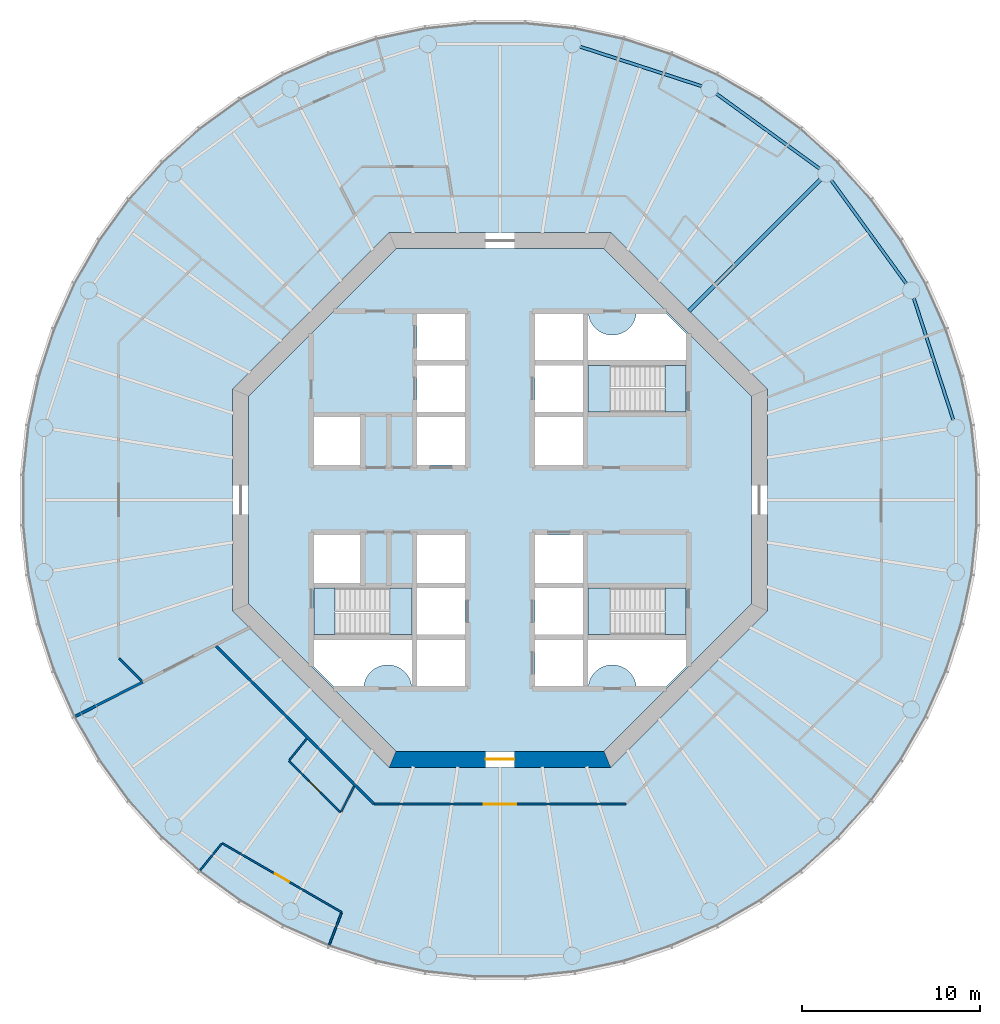
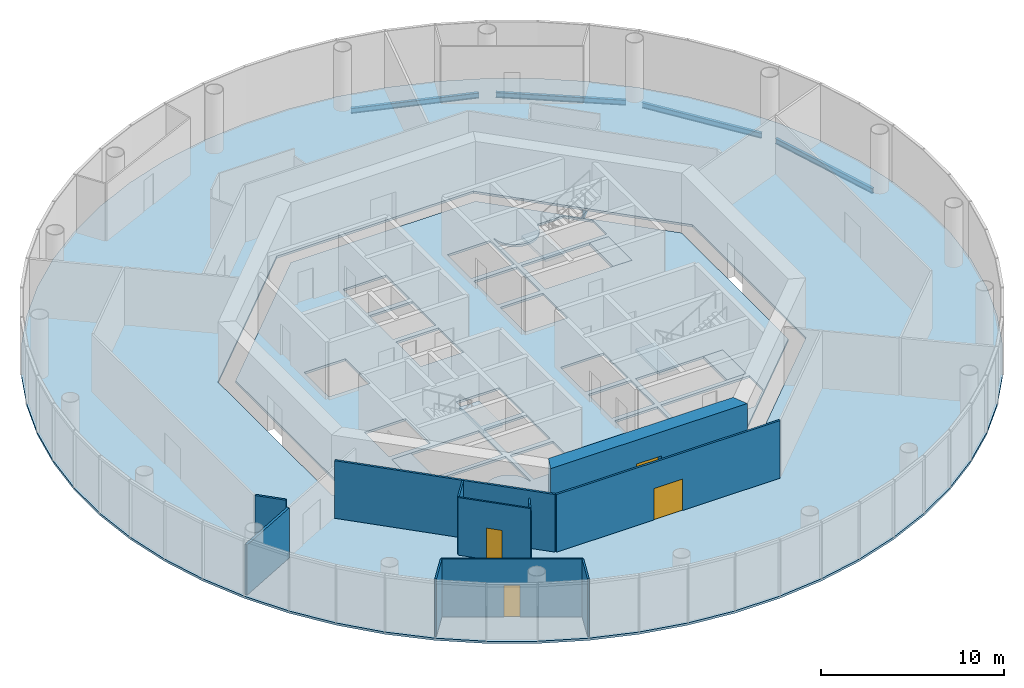
# One storey, part 2 of 12: 11 walls, 8 slabs, 5 beams, 4 doors, 4 openings, 3 elements without a shape of their own.
"""IFC4 building model written with IfcOpenShell, lengths in metres."""

from ifc_helpers import new_model, si_unit, direction, frame, frame_2d, origin, origin_2d, place, context, subcontext, project, spatial, polyline, rectangle, i_section, outline, extrude, material, layer, layer_set, material_profile, profile_set, type_object, element, fill, aggregate, save


model = new_model("IFC4")

# Units and contexts
model_context = context("Model", 3, precision=1e-05, world=origin(), true_north=direction((0.0, 1.0)))
body_context = subcontext(model_context, "Body", "Model", "MODEL_VIEW")
ifc_project = project(units=[si_unit("LENGTHUNIT", "METRE"), si_unit("AREAUNIT", "SQUARE_METRE"), si_unit("VOLUMEUNIT", "CUBIC_METRE"), si_unit("PLANEANGLEUNIT", "RADIAN"), si_unit("MASSUNIT", "GRAM", prefix="KILO")], contexts=[model_context])

# Site, building, storey
site_placement = place(None, origin())
site = spatial("IfcSite", under=ifc_project, at=site_placement, CompositionType="ELEMENT")
building_placement = place(site_placement, origin())
building = spatial("IfcBuilding", under=site, at=building_placement, Name="Entoto Ring Tower", CompositionType="ELEMENT")
storey_placement = place(building_placement, frame((0.0, 0.0, 210.0)))
storey = spatial("IfcBuildingStorey", under=building, at=storey_placement, Name="L48", CompositionType="ELEMENT", Elevation=210.0)

# Beams
ifc_material_1 = material(Name="Steel S355", Category="steel")
ifc_material_profile_1 = material_profile(ifc_material_1, i_section(OverallWidth=0.169921875, OverallDepth=0.360107421875, WebThickness=0.008056640625, FlangeThickness=0.0126953125, FilletRadius=0.01806640625, at=origin_2d()), Name="IPE 360")
ifc_profile_set_1 = profile_set([ifc_material_profile_1], Name="Steel S355")
beam_type_1 = type_object("IfcBeamType", Name="Edge beam IPE 360", PredefinedType="SPANDREL", material=ifc_profile_set_1)
beam_1_placement = place(storey_placement, frame((115.43505859375, 84.501220703125, -0.330078125), z_axis=(-0.309015118354, 0.951057125849, 0.0), x_axis=(-0.951057125849, -0.309015118354, 0.0)))
element("IfcBeam", 1, at=beam_1_placement, inside=storey, type_object=beam_type_1, Name="Edge beam L48 01", PredefinedType="SPANDREL", context=body_context, shape_type="SweptSolid", body=[
    extrude(i_section(OverallWidth=0.169921875, OverallDepth=0.360107421875, WebThickness=0.008056640625, FlangeThickness=0.0126953125, FilletRadius=0.01806640625, at=origin_2d()), origin(), (0.0, 0.0, 1.0), 7.157958984375),
])
for number, where, z_axis, x_axis, name in (
    (2, (112.79931640625, 92.140625, -0.330078125), (-0.587794432314, 0.809010324619, 0.0), (-0.809010324619, -0.587794432314, 0.0), "Edge beam L48 02"),
    (3, (107.931640625, 98.591796875, -0.330078125), (-0.809010324619, 0.587794432314, 0.0), (-0.587794432314, -0.809010324619, 0.0), "Edge beam L48 03"),
):
    element("IfcBeam", number, at=place(storey_placement, frame(where, z_axis=z_axis, x_axis=x_axis)), inside=storey, type_object=beam_type_1, Name=name, PredefinedType="SPANDREL", context=body_context, shape_type="SweptSolid", body=[
        extrude(i_section(OverallWidth=0.169921875, OverallDepth=0.360107421875, WebThickness=0.008056640625, FlangeThickness=0.0126953125, FilletRadius=0.01806640625, at=origin_2d()), origin(), (0.0, 0.0, 1.0), 7.158203125),
    ])
beam_2_placement = place(storey_placement, frame((101.308837890625, 103.22314453125, -0.330078125), z_axis=(-0.951057125849, 0.309015118354, 0.0), x_axis=(-0.309015118354, -0.951057125849, 0.0)))
element("IfcBeam", 4, at=beam_2_placement, inside=storey, type_object=beam_type_1, Name="Edge beam L48 04", PredefinedType="SPANDREL", context=body_context, shape_type="SweptSolid", body=[
    extrude(i_section(OverallWidth=0.169921875, OverallDepth=0.360107421875, WebThickness=0.008056640625, FlangeThickness=0.0126953125, FilletRadius=0.01806640625, at=origin_2d()), origin(), (0.0, 0.0, 1.0), 7.157958984375),
])
ifc_material_2 = material(Name="Steel S355", Category="steel")
ifc_material_profile_2 = material_profile(ifc_material_2, i_section(OverallWidth=0.199951171875, OverallDepth=0.5, WebThickness=0.01025390625, FlangeThickness=0.01611328125, FilletRadius=0.02099609375, at=origin_2d()), Name="IPE 500")
ifc_profile_set_2 = profile_set([ifc_material_profile_2], Name="Steel S355")
beam_type_2 = type_object("IfcBeamType", Name="Primary floor beam IPE 500", PredefinedType="BEAM", material=ifc_profile_set_2)
beam_3_placement = place(storey_placement, frame((100.592529296875, 90.592529296875, -0.39990234375), z_axis=(0.707106781187, 0.707106781187, 0.0), x_axis=(-0.707106781187, 0.707106781187, 0.0)))
element("IfcBeam", 5, at=beam_3_placement, inside=storey, type_object=beam_type_2, Name="Primary L48 R03", PredefinedType="BEAM", context=body_context, shape_type="SweptSolid", body=[
    extrude(i_section(OverallWidth=0.199951171875, OverallDepth=0.5, WebThickness=0.01025390625, FlangeThickness=0.01611328125, FilletRadius=0.02099609375, at=origin_2d()), origin(), (0.0, 0.0, 1.0), 10.4501953125),
])

# Slabs
ifc_material_3 = material(Name="Concrete C30/37", Category="concrete")
ifc_layer_1 = layer(ifc_material_3, 0.14990234375)
ifc_layer_set_1 = layer_set([ifc_layer_1], Name="Concrete C30/37")
slab_type_1 = type_object("IfcSlabType", Name="Composite floor slab 150 mm", PredefinedType="FLOOR", material=ifc_layer_set_1)
slab_1_placement = place(storey_placement, frame((0.0, 0.0, -0.14990234375)))
element("IfcSlab", 6, at=slab_1_placement, inside=storey, type_object=slab_type_1, Name="Floor slab L48", PredefinedType="FLOOR", context=body_context, shape_type="SweptSolid", body=[
    extrude(outline(polyline([(116.56884765625, 84.2080078125), (115.9833984375, 86.962158203125), (115.11328125, 89.64013671875), (113.968017578125, 92.21240234375), (112.560302734375, 94.65087890625), (110.9052734375, 96.9287109375), (109.021240234375, 99.021240234375), (106.9287109375, 100.9052734375), (104.65087890625, 102.560302734375), (102.21240234375, 103.968017578125), (99.64013671875, 105.11328125), (96.962158203125, 105.9833984375), (94.2080078125, 106.56884765625), (91.407958984375, 106.863037109375), (88.592041015625, 106.863037109375), (85.7919921875, 106.56884765625), (83.037841796875, 105.9833984375), (80.35986328125, 105.11328125), (77.78759765625, 103.968017578125), (75.34912109375, 102.560302734375), (73.0712890625, 100.9052734375), (70.978759765625, 99.021240234375), (69.0947265625, 96.9287109375), (67.439697265625, 94.65087890625), (66.031982421875, 92.21240234375), (64.88671875, 89.64013671875), (64.0166015625, 86.962158203125), (63.43115234375, 84.2080078125), (63.136962890625, 81.407958984375), (63.136962890625, 78.592041015625), (63.43115234375, 75.7919921875), (64.0166015625, 73.037841796875), (64.88671875, 70.35986328125), (66.031982421875, 67.78759765625), (67.439697265625, 65.34912109375), (69.0947265625, 63.0712890625), (70.978759765625, 60.978759765625), (73.0712890625, 59.0947265625), (75.34912109375, 57.439697265625), (77.78759765625, 56.031982421875), (80.35986328125, 54.88671875), (83.037841796875, 54.0166015625), (85.7919921875, 53.43115234375), (88.592041015625, 53.136962890625), (91.407958984375, 53.136962890625), (94.2080078125, 53.43115234375), (96.962158203125, 54.0166015625), (99.64013671875, 54.88671875), (102.21240234375, 56.031982421875), (104.65087890625, 57.439697265625), (106.9287109375, 59.0947265625), (109.021240234375, 60.978759765625), (110.9052734375, 63.0712890625), (112.560302734375, 65.34912109375), (113.968017578125, 67.78759765625), (115.11328125, 70.35986328125), (115.9833984375, 73.037841796875), (116.56884765625, 75.7919921875), (116.863037109375, 78.592041015625), (116.863037109375, 81.407958984375), (116.56884765625, 84.2080078125)]), holes=[polyline([(105.0, 73.786865234375), (105.0, 86.213134765625), (96.213134765625, 95.0), (83.786865234375, 95.0), (75.0, 86.213134765625), (75.0, 73.786865234375), (83.786865234375, 65.0), (96.213134765625, 65.0), (105.0, 73.786865234375)])]), origin(), (0.0, 0.0, 1.0), 0.14990234375),
])
ifc_material_4 = material(Name="Concrete C40/50", Category="concrete")
ifc_layer_2 = layer(ifc_material_4, 0.14990234375)
ifc_layer_set_2 = layer_set([ifc_layer_2], Name="Concrete C40/50")
slab_type_2 = type_object("IfcSlabType", Name="Core floor slab 150 mm reinforced concrete C40/50", PredefinedType="FLOOR", material=ifc_layer_set_2)
slab_2_placement = place(storey_placement, frame((0.0, 0.0, -0.14990234375)))
element("IfcSlab", 7, at=slab_2_placement, inside=storey, type_object=slab_type_2, Name="Core floor L48", PredefinedType="FLOOR", context=body_context, shape_type="SweptSolid", body=[
    extrude(outline(polyline([(104.10009765625, 74.15966796875), (104.10009765625, 85.84033203125), (95.84033203125, 94.10009765625), (84.15966796875, 94.10009765625), (75.89990234375, 85.84033203125), (75.89990234375, 74.15966796875), (84.15966796875, 65.89990234375), (95.84033203125, 65.89990234375), (104.10009765625, 74.15966796875)]), holes=[polyline([(100.449951171875, 84.949951171875), (100.449951171875, 87.550048828125), (94.949951171875, 87.550048828125), (94.949951171875, 84.949951171875), (100.449951171875, 84.949951171875)]), polyline([(85.050048828125, 72.449951171875), (85.050048828125, 75.050048828125), (79.550048828125, 75.050048828125), (79.550048828125, 72.449951171875), (85.050048828125, 72.449951171875)]), polyline([(100.449951171875, 72.449951171875), (100.449951171875, 75.050048828125), (94.949951171875, 75.050048828125), (94.949951171875, 72.449951171875), (100.449951171875, 72.449951171875)]), polyline([(91.949951171875, 84.949951171875), (94.64990234375, 84.949951171875), (94.64990234375, 87.550048828125), (91.949951171875, 87.550048828125), (91.949951171875, 84.949951171875)]), polyline([(91.949951171875, 72.449951171875), (94.64990234375, 72.449951171875), (94.64990234375, 75.050048828125), (91.949951171875, 75.050048828125), (91.949951171875, 72.449951171875)]), polyline([(91.949951171875, 69.550048828125), (94.64990234375, 69.550048828125), (94.64990234375, 72.14990234375), (91.949951171875, 72.14990234375), (91.949951171875, 69.550048828125)]), polyline([(85.35009765625, 72.449951171875), (88.050048828125, 72.449951171875), (88.050048828125, 75.050048828125), (85.35009765625, 75.050048828125), (85.35009765625, 72.449951171875)]), polyline([(85.35009765625, 81.949951171875), (88.050048828125, 81.949951171875), (88.050048828125, 84.64990234375), (85.35009765625, 84.64990234375), (85.35009765625, 81.949951171875)]), polyline([(91.949951171875, 75.35009765625), (94.64990234375, 75.35009765625), (94.64990234375, 78.050048828125), (91.949951171875, 78.050048828125), (91.949951171875, 75.35009765625)]), polyline([(79.550048828125, 81.949951171875), (82.14990234375, 81.949951171875), (82.14990234375, 84.64990234375), (79.550048828125, 84.64990234375), (79.550048828125, 81.949951171875)]), polyline([(79.550048828125, 75.35009765625), (82.14990234375, 75.35009765625), (82.14990234375, 78.050048828125), (79.550048828125, 78.050048828125), (79.550048828125, 75.35009765625)]), polyline([(91.949951171875, 87.85009765625), (94.64990234375, 87.85009765625), (94.64990234375, 90.449951171875), (91.949951171875, 90.449951171875), (91.949951171875, 87.85009765625)]), polyline([(85.35009765625, 69.550048828125), (88.050048828125, 69.550048828125), (88.050048828125, 72.14990234375), (85.35009765625, 72.14990234375), (85.35009765625, 69.550048828125)]), polyline([(91.949951171875, 81.949951171875), (94.64990234375, 81.949951171875), (94.64990234375, 84.64990234375), (91.949951171875, 84.64990234375), (91.949951171875, 81.949951171875)]), polyline([(85.35009765625, 75.35009765625), (88.050048828125, 75.35009765625), (88.050048828125, 78.050048828125), (85.35009765625, 78.050048828125), (85.35009765625, 75.35009765625)]), polyline([(85.35009765625, 84.949951171875), (88.050048828125, 84.949951171875), (88.050048828125, 87.550048828125), (85.35009765625, 87.550048828125), (85.35009765625, 84.949951171875)]), polyline([(85.35009765625, 87.85009765625), (88.050048828125, 87.85009765625), (88.050048828125, 90.449951171875), (85.35009765625, 90.449951171875), (85.35009765625, 87.85009765625)]), polyline([(94.89990234375, 90.5), (94.89990234375, 87.800048828125), (100.5, 87.800048828125), (100.5, 89.299072265625), (99.299072265625, 90.5), (97.64501953125, 90.5), (97.6435546875, 90.4677734375), (97.6240234375, 90.336669921875), (97.591796875, 90.2080078125), (97.547119140625, 90.08349609375), (97.490478515625, 89.963623046875), (97.422607421875, 89.85009765625), (97.343505859375, 89.74365234375), (97.254638671875, 89.6455078125), (97.156494140625, 89.556396484375), (97.050048828125, 89.4775390625), (96.936279296875, 89.409423828125), (96.816650390625, 89.352783203125), (96.69189453125, 89.30810546875), (96.5634765625, 89.27587890625), (96.432373046875, 89.256591796875), (96.300048828125, 89.25), (96.167724609375, 89.256591796875), (96.03662109375, 89.27587890625), (95.908203125, 89.30810546875), (95.783447265625, 89.352783203125), (95.66357421875, 89.409423828125), (95.550048828125, 89.4775390625), (95.443603515625, 89.556396484375), (95.345458984375, 89.6455078125), (95.25634765625, 89.74365234375), (95.177490234375, 89.85009765625), (95.109375, 89.963623046875), (95.052734375, 90.08349609375), (95.008056640625, 90.2080078125), (94.975830078125, 90.336669921875), (94.95654296875, 90.4677734375), (94.954833984375, 90.5), (94.89990234375, 90.5)]), polyline([(79.5, 70.700927734375), (80.700927734375, 69.5), (82.35498046875, 69.5), (82.3564453125, 69.5322265625), (82.3759765625, 69.663330078125), (82.408203125, 69.7919921875), (82.452880859375, 69.91650390625), (82.509521484375, 70.036376953125), (82.577392578125, 70.14990234375), (82.656494140625, 70.25634765625), (82.745361328125, 70.3544921875), (82.843505859375, 70.443603515625), (82.949951171875, 70.5224609375), (83.063720703125, 70.590576171875), (83.183349609375, 70.647216796875), (83.30810546875, 70.69189453125), (83.4365234375, 70.72412109375), (83.567626953125, 70.743408203125), (83.699951171875, 70.75), (83.832275390625, 70.743408203125), (83.96337890625, 70.72412109375), (84.091796875, 70.69189453125), (84.216552734375, 70.647216796875), (84.33642578125, 70.590576171875), (84.449951171875, 70.5224609375), (84.556396484375, 70.443603515625), (84.654541015625, 70.3544921875), (84.74365234375, 70.25634765625), (84.822509765625, 70.14990234375), (84.890625, 70.036376953125), (84.947265625, 69.91650390625), (84.991943359375, 69.7919921875), (85.024169921875, 69.663330078125), (85.04345703125, 69.5322265625), (85.045166015625, 69.5), (85.10009765625, 69.5), (85.10009765625, 72.199951171875), (79.5, 72.199951171875), (79.5, 70.700927734375)]), polyline([(97.64501953125, 69.5), (99.299072265625, 69.5), (100.5, 70.700927734375), (100.5, 72.199951171875), (94.89990234375, 72.199951171875), (94.89990234375, 69.5), (94.954833984375, 69.5), (94.95654296875, 69.5322265625), (94.975830078125, 69.663330078125), (95.008056640625, 69.7919921875), (95.052734375, 69.91650390625), (95.109375, 70.036376953125), (95.177490234375, 70.14990234375), (95.25634765625, 70.25634765625), (95.345458984375, 70.3544921875), (95.443603515625, 70.443603515625), (95.550048828125, 70.5224609375), (95.66357421875, 70.590576171875), (95.783447265625, 70.647216796875), (95.908203125, 70.69189453125), (96.03662109375, 70.72412109375), (96.167724609375, 70.743408203125), (96.300048828125, 70.75), (96.432373046875, 70.743408203125), (96.5634765625, 70.72412109375), (96.69189453125, 70.69189453125), (96.816650390625, 70.647216796875), (96.936279296875, 70.590576171875), (97.050048828125, 70.5224609375), (97.156494140625, 70.443603515625), (97.254638671875, 70.3544921875), (97.343505859375, 70.25634765625), (97.422607421875, 70.14990234375), (97.490478515625, 70.036376953125), (97.547119140625, 69.91650390625), (97.591796875, 69.7919921875), (97.6240234375, 69.663330078125), (97.6435546875, 69.5322265625), (97.64501953125, 69.5)])]), origin(), (0.0, 0.0, 1.0), 0.14990234375),
])

# Stair, slabs
ifc_material_5 = material(Name="Concrete C40/50", Category="concrete")
stair_type = type_object("IfcStairType", Name="Exit stair 1200 mm dog-leg reinforced concrete", PredefinedType="HALF_TURN_STAIR", material=ifc_material_5)
stair_1_placement = place(storey_placement, origin())
stair_1 = element("IfcStair", 8, at=stair_1_placement, inside=storey, type_object=stair_type, Name="Exit stair 1", PredefinedType="HALF_TURN_STAIR")
ifc_material_6 = material(Name="Concrete C40/50", Category="concrete")
ifc_layer_3 = layer(ifc_material_6, 0.199951171875)
ifc_layer_set_3 = layer_set([ifc_layer_3], Name="Concrete C40/50")
slab_type_3 = type_object("IfcSlabType", Name="Stair landing 200 mm reinforced concrete", PredefinedType="LANDING", material=ifc_layer_set_3)
slab_3_placement = place(storey_placement, frame((0.0, 0.0, -0.199951171875)))
slab_3 = element("IfcSlab", 9, at=slab_3_placement, type_object=slab_type_3, Name="ST1 landing 1", PredefinedType="LANDING", context=body_context, shape_type="SweptSolid", body=[
    extrude(outline(polyline([(100.449951171875, 84.949951171875), (100.449951171875, 87.550048828125), (99.25, 87.550048828125), (99.25, 84.949951171875), (100.449951171875, 84.949951171875)])), origin(), (0.0, 0.0, 1.0), 0.199951171875),
])
slab_4_placement = place(storey_placement, frame((0.0, 0.0, 1.800048828125)))
slab_4 = element("IfcSlab", 10, at=slab_4_placement, type_object=slab_type_3, Name="ST1 landing 2", PredefinedType="LANDING", context=body_context, shape_type="SweptSolid", body=[
    extrude(outline(polyline([(94.949951171875, 84.949951171875), (96.169921875, 84.949951171875), (96.169921875, 87.550048828125), (94.949951171875, 87.550048828125), (94.949951171875, 84.949951171875)])), origin(), (0.0, 0.0, 1.0), 0.199951171875),
])
aggregate(stair_1, [slab_3, slab_4])

stair_2_placement = place(storey_placement, origin())
stair_2 = element("IfcStair", 11, at=stair_2_placement, inside=storey, type_object=stair_type, Name="Exit stair 2", PredefinedType="HALF_TURN_STAIR")
slab_5_placement = place(storey_placement, frame((0.0, 0.0, -0.199951171875)))
slab_5 = element("IfcSlab", 12, at=slab_5_placement, type_object=slab_type_3, Name="ST2 landing 1", PredefinedType="LANDING", context=body_context, shape_type="SweptSolid", body=[
    extrude(outline(polyline([(80.75, 72.449951171875), (80.75, 75.050048828125), (79.550048828125, 75.050048828125), (79.550048828125, 72.449951171875), (80.75, 72.449951171875)])), origin(), (0.0, 0.0, 1.0), 0.199951171875),
])
slab_6_placement = place(storey_placement, frame((0.0, 0.0, 1.800048828125)))
slab_6 = element("IfcSlab", 13, at=slab_6_placement, type_object=slab_type_3, Name="ST2 landing 2", PredefinedType="LANDING", context=body_context, shape_type="SweptSolid", body=[
    extrude(outline(polyline([(83.830078125, 72.449951171875), (85.050048828125, 72.449951171875), (85.050048828125, 75.050048828125), (83.830078125, 75.050048828125), (83.830078125, 72.449951171875)])), origin(), (0.0, 0.0, 1.0), 0.199951171875),
])
aggregate(stair_2, [slab_5, slab_6])

stair_3_placement = place(storey_placement, origin())
stair_3 = element("IfcStair", 14, at=stair_3_placement, inside=storey, type_object=stair_type, Name="Exit stair 3", PredefinedType="HALF_TURN_STAIR")
slab_7_placement = place(storey_placement, frame((0.0, 0.0, -0.199951171875)))
slab_7 = element("IfcSlab", 15, at=slab_7_placement, type_object=slab_type_3, Name="ST3 landing 1", PredefinedType="LANDING", context=body_context, shape_type="SweptSolid", body=[
    extrude(outline(polyline([(100.449951171875, 72.449951171875), (100.449951171875, 75.050048828125), (99.25, 75.050048828125), (99.25, 72.449951171875), (100.449951171875, 72.449951171875)])), origin(), (0.0, 0.0, 1.0), 0.199951171875),
])
slab_8_placement = place(storey_placement, frame((0.0, 0.0, 1.800048828125)))
slab_8 = element("IfcSlab", 16, at=slab_8_placement, type_object=slab_type_3, Name="ST3 landing 2", PredefinedType="LANDING", context=body_context, shape_type="SweptSolid", body=[
    extrude(outline(polyline([(94.949951171875, 72.449951171875), (96.169921875, 72.449951171875), (96.169921875, 75.050048828125), (94.949951171875, 75.050048828125), (94.949951171875, 72.449951171875)])), origin(), (0.0, 0.0, 1.0), 0.199951171875),
])
aggregate(stair_3, [slab_7, slab_8])

# Wall, opening, door
ifc_material_7 = material(Name="Concrete C50/60", Category="concrete")
ifc_layer_4 = layer(ifc_material_7, 0.89990234375)
ifc_layer_set_4 = layer_set([ifc_layer_4], Name="Concrete C50/60")
wall_type_1 = type_object("IfcWallType", Name="Core shear wall 900 mm reinforced concrete C50/60", PredefinedType="SHEAR", material=ifc_layer_set_4)
wall_1_placement = place(storey_placement, frame((83.97314453125, 65.449951171875, 0.0), z_axis=(0.0, 0.0, 1.0), x_axis=(1.0, 0.0, 0.0)))
wall_1 = element("IfcWall", 17, at=wall_1_placement, inside=storey, type_object=wall_type_1, Name="wall-L48-core-6", PredefinedType="SHEAR", context=body_context, shape_type="SweptSolid", body=[
    extrude(outline(polyline([(-0.186279296875, -0.449951171875), (12.239990234375, -0.449951171875), (11.867431640625, 0.449951171875), (0.186279296875, 0.449951171875), (-0.186279296875, -0.449951171875)])), origin(), (0.0, 0.0, 1.0), 4.0),
])
opening_1_placement = place(wall_1_placement, frame((5.226806640625, 0.0, 0.0)))
opening_1 = element("IfcOpeningElement", 18, at=opening_1_placement, cuts=wall_1, Name="Opening K-04", PredefinedType="OPENING", context=body_context, shape_type="SweptSolid", body=[
    extrude(rectangle(XDim=1.60009765625, YDim=2.39990234375, at=frame_2d((0.800048828125, 1.199951171875))), frame((0.0, 0.4599609375, 0.0), z_axis=(0.0, -1.0, 0.0), x_axis=(1.0, 0.0, 0.0)), (0.0, 0.0, 1.0), 0.919921875),
])
ifc_material_8 = material(Name="Steel door leaf, fire rated", Category="steel")
ifc_layer_5 = layer(ifc_material_8, 0.050048828125)
ifc_layer_set_5 = layer_set([ifc_layer_5], Name="Steel door leaf, fire rated")
door_type_1 = type_object("IfcDoorType", Name="Entrance door FD60 1600 x 2400 double leaf", OperationType="DOUBLE_DOOR_SINGLE_SWING", PredefinedType="DOOR", material=ifc_layer_set_5)
door_1_placement = place(opening_1_placement, origin())
door_1 = element("IfcDoor", 19, at=door_1_placement, inside=storey, type_object=door_type_1, Name="Entrance door K-04", OperationType="DOUBLE_DOOR_SINGLE_SWING", OverallHeight=2.39990234375, OverallWidth=1.60009765625, PredefinedType="DOOR", context=body_context, shape_type="SweptSolid", body=[
    extrude(rectangle(XDim=1.60009765625, YDim=2.39990234375, at=frame_2d((0.800048828125, 1.199951171875))), frame((0.0, 0.02490234375, 0.0), z_axis=(0.0, -1.0, 0.0), x_axis=(1.0, 0.0, 0.0)), (0.0, 0.0, 1.0), 0.050048828125),
])
fill(opening_1, door_1)

ifc_material_9 = material(Name="Fire-resisting plasterboard on steel studs", Category="steel")
ifc_layer_6 = layer(ifc_material_9, 0.125)
ifc_layer_set_6 = layer_set([ifc_layer_6], Name="Fire-resisting plasterboard on steel studs")
wall_type_2 = type_object("IfcWallType", Name="Corridor wall 125 mm one-hour plasterboard on steel studs", PredefinedType="PARTITIONING", material=ifc_layer_set_6)
wall_2_placement = place(storey_placement, frame((82.9326171875, 62.9375, 0.0), z_axis=(0.0, 0.0, 1.0), x_axis=(1.0, 0.0, 0.0)))
wall_2 = element("IfcWall", 20, at=wall_2_placement, inside=storey, type_object=wall_type_2, Name="partition-L48-003", PredefinedType="PARTITIONING", context=body_context, shape_type="SweptSolid", body=[
    extrude(rectangle(XDim=14.134765625, YDim=0.125, at=frame_2d((7.0673828125, 0.0))), origin(), (0.0, 0.0, 1.0), 3.85009765625),
])
opening_2_placement = place(wall_2_placement, frame((6.16748046875, 0.0, 0.0)))
opening_2 = element("IfcOpeningElement", 21, at=opening_2_placement, cuts=wall_2, Name="Opening A21-D09", PredefinedType="OPENING", context=body_context, shape_type="SweptSolid", body=[
    extrude(rectangle(XDim=1.800048828125, YDim=2.10009765625, at=frame_2d((0.89990234375, 1.050048828125))), frame((0.0, 0.072509765625, 0.0), z_axis=(0.0, -1.0, 0.0), x_axis=(1.0, 0.0, 0.0)), (0.0, 0.0, 1.0), 0.14501953125),
])
ifc_material_10 = material(Name="Fire-resisting timber door set", Category="wood")
door_type_2 = type_object("IfcDoorType", Name="Door 1800 x 2100 double leaf FD30S fire door", OperationType="DOUBLE_DOOR_SINGLE_SWING", PredefinedType="DOOR", material=ifc_material_10)
door_2_placement = place(opening_2_placement, frame((1.800048828125, 0.0, 0.0), z_axis=(0.0, 0.0, 1.0), x_axis=(-1.0, 0.0, 0.0)))
door_2 = element("IfcDoor", 22, at=door_2_placement, inside=storey, type_object=door_type_2, Name="Door A21-D09", OperationType="DOUBLE_DOOR_SINGLE_SWING", OverallHeight=2.10009765625, OverallWidth=1.800048828125, PredefinedType="DOOR", context=body_context, shape_type="SweptSolid", body=[
    extrude(rectangle(XDim=1.800048828125, YDim=2.10009765625, at=frame_2d((0.89990234375, 1.050048828125))), frame((0.0, 0.02490234375, 0.0), z_axis=(0.0, -1.0, 0.0), x_axis=(1.0, 0.0, 0.0)), (0.0, 0.0, 1.0), 0.050048828125),
])
fill(opening_2, door_2)

# Walls
wall_3_placement = place(storey_placement, frame((82.9013671875, 62.968505859375, 0.0), z_axis=(0.0, 0.0, 1.0), x_axis=(-0.707106781187, 0.707106781187, 0.0)))
element("IfcWall", 23, at=wall_3_placement, inside=storey, type_object=wall_type_2, Name="partition-L48-006", PredefinedType="PARTITIONING", context=body_context, shape_type="SweptSolid", body=[
    extrude(rectangle(XDim=12.481689453125, YDim=0.125, at=frame_2d((6.24072265625, 0.0))), origin(), (0.0, 0.0, 1.0), 3.85009765625),
])
wall_4_placement = place(storey_placement, frame((69.881103515625, 69.8544921875, 0.0), z_axis=(0.0, 0.0, 1.0), x_axis=(-0.707037731162, 0.707175824469, 0.0)))
element("IfcWall", 24, at=wall_4_placement, inside=storey, type_object=wall_type_2, Name="partition-L48-015", PredefinedType="PARTITIONING", context=body_context, shape_type="SweptSolid", body=[
    extrude(rectangle(XDim=1.767822265625, YDim=0.125, at=frame_2d((0.8837890625, 0.0))), origin(), (0.0, 0.0, 1.0), 3.85009765625),
])

# Wall, opening, door
ifc_material_11 = material(Name="Plasterboard on steel studs", Category="steel")
ifc_layer_7 = layer(ifc_material_11, 0.10009765625)
ifc_layer_set_7 = layer_set([ifc_layer_7], Name="Plasterboard on steel studs")
wall_type_3 = type_object("IfcWallType", Name="Partition 100 mm plasterboard on steel studs", PredefinedType="PARTITIONING", material=ifc_layer_set_7)
wall_5_placement = place(storey_placement, frame((81.11962890625, 56.865966796875, 0.0), z_axis=(0.0, 0.0, 1.0), x_axis=(-0.866035081828, 0.499983236762, 0.0)))
wall_5 = element("IfcWall", 25, at=wall_5_placement, inside=storey, type_object=wall_type_3, Name="partition-L48-023", PredefinedType="PARTITIONING", context=body_context, shape_type="SweptSolid", body=[
    extrude(rectangle(XDim=7.752685546875, YDim=0.10009765625, at=frame_2d((3.87646484375, 0.0))), origin(), (0.0, 0.0, 1.0), 3.85009765625),
])
opening_3_placement = place(wall_5_placement, frame((3.426513671875, 0.0, 0.0)))
opening_3 = element("IfcOpeningElement", 26, at=opening_3_placement, cuts=wall_5, Name="Opening A21-D12", PredefinedType="OPENING", context=body_context, shape_type="SweptSolid", body=[
    extrude(rectangle(XDim=0.89990234375, YDim=2.10009765625, at=frame_2d((0.449951171875, 1.050048828125))), frame((0.0, 0.06005859375, 0.0), z_axis=(0.0, -1.0, 0.0), x_axis=(1.0, 0.0, 0.0)), (0.0, 0.0, 1.0), 0.1201171875),
])
ifc_material_12 = material(Name="Veneered timber door leaf in timber frame", Category="wood")
door_type_3 = type_object("IfcDoorType", Name="Door 900 x 2100 single leaf timber veneer", OperationType="NOTDEFINED", PredefinedType="DOOR", material=ifc_material_12)
door_3_placement = place(opening_3_placement, origin())
door_3 = element("IfcDoor", 27, at=door_3_placement, inside=storey, type_object=door_type_3, Name="Door A21-D12", OperationType="SINGLE_SWING_RIGHT", OverallHeight=2.10009765625, OverallWidth=0.89990234375, PredefinedType="DOOR", context=body_context, shape_type="SweptSolid", body=[
    extrude(rectangle(XDim=0.89990234375, YDim=2.10009765625, at=frame_2d((0.449951171875, 1.050048828125))), frame((0.0, 0.02490234375, 0.0), z_axis=(0.0, -1.0, 0.0), x_axis=(1.0, 0.0, 0.0)), (0.0, 0.0, 1.0), 0.050048828125),
])
fill(opening_3, door_3)

wall_6_placement = place(storey_placement, frame((81.062744140625, 62.459716796875, 0.0), z_axis=(0.0, 0.0, 1.0), x_axis=(-0.707136442328, 0.707077118801, 0.0)))
wall_6 = element("IfcWall", 28, at=wall_6_placement, inside=storey, type_object=wall_type_3, Name="partition-L48-026", PredefinedType="PARTITIONING", context=body_context, shape_type="SweptSolid", body=[
    extrude(rectangle(XDim=4.115478515625, YDim=0.10009765625, at=frame_2d((2.0576171875, 0.0))), origin(), (0.0, 0.0, 1.0), 3.85009765625),
])
opening_4_placement = place(wall_6_placement, frame((1.607666015625, 0.0, 0.0)))
opening_4 = element("IfcOpeningElement", 29, at=opening_4_placement, cuts=wall_6, Name="Opening A21-D11", PredefinedType="OPENING", context=body_context, shape_type="SweptSolid", body=[
    extrude(rectangle(XDim=0.89990234375, YDim=2.10009765625, at=frame_2d((0.449951171875, 1.050048828125))), frame((0.0, 0.06005859375, 0.0), z_axis=(0.0, -1.0, 0.0), x_axis=(1.0, 0.0, 0.0)), (0.0, 0.0, 1.0), 0.1201171875),
])
door_4_placement = place(opening_4_placement, frame((0.89990234375, 0.0, 0.0), z_axis=(0.0, 0.0, 1.0), x_axis=(-1.0, 0.0, 0.0)))
door_4 = element("IfcDoor", 30, at=door_4_placement, inside=storey, type_object=door_type_3, Name="Door A21-D11", OperationType="SINGLE_SWING_RIGHT", OverallHeight=2.10009765625, OverallWidth=0.89990234375, PredefinedType="DOOR", context=body_context, shape_type="SweptSolid", body=[
    extrude(rectangle(XDim=0.89990234375, YDim=2.10009765625, at=frame_2d((0.449951171875, 1.050048828125))), frame((0.0, 0.02490234375, 0.0), z_axis=(0.0, -1.0, 0.0), x_axis=(1.0, 0.0, 0.0)), (0.0, 0.0, 1.0), 0.050048828125),
])
fill(opening_4, door_4)

# Walls
wall_7_placement = place(storey_placement, frame((80.417236328125, 55.0361328125, 0.0), z_axis=(0.0, 0.0, 1.0), x_axis=(0.358422448659, 0.933559504422, 0.0)))
element("IfcWall", 31, at=wall_7_placement, inside=storey, type_object=wall_type_3, Name="partition-L48-030", PredefinedType="PARTITIONING", context=body_context, shape_type="SweptSolid", body=[
    extrude(rectangle(XDim=1.91064453125, YDim=0.10009765625, at=frame_2d((0.955322265625, 0.0))), origin(), (0.0, 0.0, 1.0), 3.85009765625),
])
wall_8_placement = place(storey_placement, frame((73.172119140625, 59.218994140625, 0.0), z_axis=(0.0, 0.0, 1.0), x_axis=(0.629249683907, 0.777203213646, 0.0)))
element("IfcWall", 32, at=wall_8_placement, inside=storey, type_object=wall_type_3, Name="partition-L48-031", PredefinedType="PARTITIONING", context=body_context, shape_type="SweptSolid", body=[
    extrude(rectangle(XDim=1.910888671875, YDim=0.10009765625, at=frame_2d((0.95556640625, 0.0))), origin(), (0.0, 0.0, 1.0), 3.85009765625),
])
wall_9_placement = place(storey_placement, frame((78.183837890625, 65.408203125, 0.0), z_axis=(0.0, 0.0, 1.0), x_axis=(0.629270653269, 0.777186235683, 0.0)))
element("IfcWall", 33, at=wall_9_placement, inside=storey, type_object=wall_type_3, Name="partition-L48-037", PredefinedType="PARTITIONING", context=body_context, shape_type="SweptSolid", body=[
    extrude(rectangle(XDim=1.551513671875, YDim=0.10009765625, at=frame_2d((0.77587890625, 0.0))), origin(), (0.0, 0.0, 1.0), 3.85009765625),
])
ifc_material_13 = material(Name="Plasterboard on steel studs", Category="steel")
ifc_layer_8 = layer(ifc_material_13, 0.10009765625)
ifc_layer_set_8 = layer_set([ifc_layer_8], Name="Plasterboard on steel studs")
wall_type_4 = type_object("IfcWallType", Name="Partition 100 mm plasterboard on steel studs, 3350 mm high", PredefinedType="PARTITIONING", material=ifc_layer_set_8)
wall_10_placement = place(storey_placement, frame((81.093994140625, 62.520751953125, 0.0), z_axis=(0.0, 0.0, 1.0), x_axis=(0.453996862269, 0.891003282289, 0.0)))
element("IfcWall", 34, at=wall_10_placement, inside=storey, type_object=wall_type_4, Name="partition-L48-034", PredefinedType="PARTITIONING", context=body_context, shape_type="SweptSolid", body=[
    extrude(rectangle(XDim=1.594970703125, YDim=0.10009765625, at=frame_2d((0.79736328125, 0.0))), origin(), (0.0, 0.0, 1.0), 3.35009765625),
])
ifc_material_14 = material(Name="Fire-resisting acoustic plasterboard on steel studs", Category="steel")
ifc_layer_9 = layer(ifc_material_14, 0.14990234375)
ifc_layer_set_9 = layer_set([ifc_layer_9], Name="Fire-resisting acoustic plasterboard on steel studs")
wall_type_5 = type_object("IfcWallType", Name="Party wall 150 mm one-hour acoustic plasterboard on steel studs, 3350 mm high", PredefinedType="PARTITIONING", material=ifc_layer_set_9)
wall_11_placement = place(storey_placement, frame((66.174560546875, 67.8603515625, 0.0), z_axis=(0.0, 0.0, 1.0), x_axis=(0.891003010106, 0.453997396448, 0.0)))
element("IfcWall", 35, at=wall_11_placement, inside=storey, type_object=wall_type_5, Name="partition-L48-020", PredefinedType="PARTITIONING", context=body_context, shape_type="SweptSolid", body=[
    extrude(rectangle(XDim=4.238525390625, YDim=0.14990234375, at=frame_2d((2.119140625, 0.0))), origin(), (0.0, 0.0, 1.0), 3.35009765625),
])

save(model, "model.ifc")
